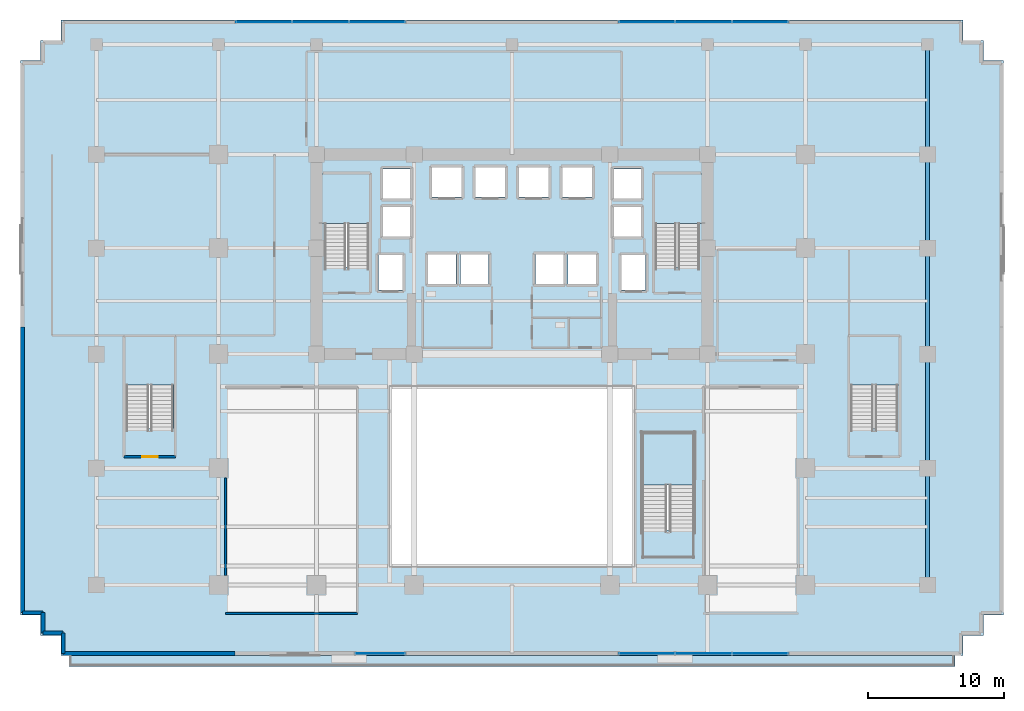
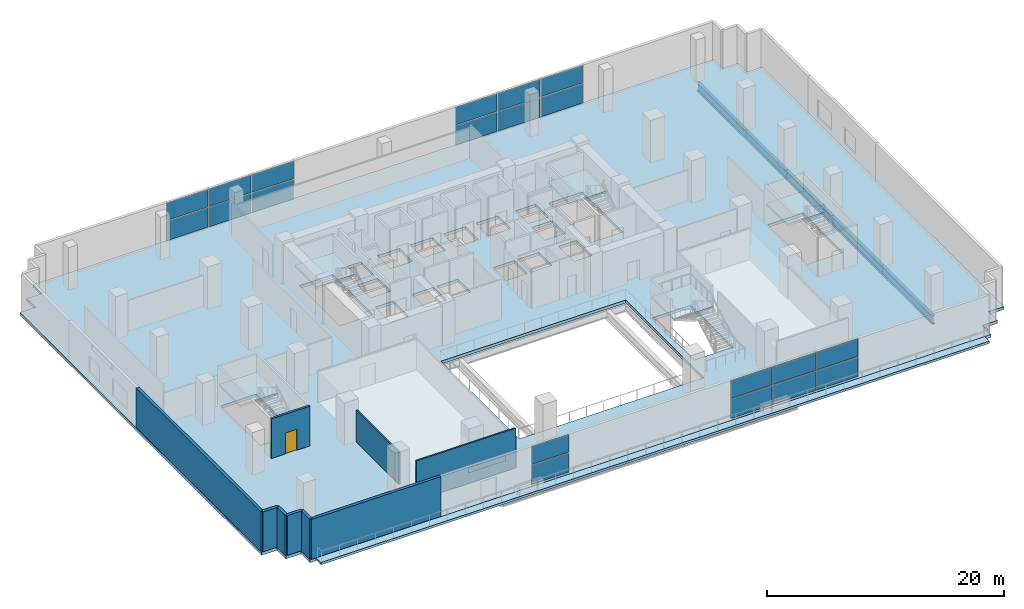
# One storey, part 12 of 23: 20 plates, 9 walls, 7 slabs, 5 beams, 1 door, 1 opening, 9 elements without a shape of their own.
"""IFC4 building model written with IfcOpenShell, lengths in metres."""

from ifc_helpers import new_model, si_unit, direction, frame, frame_2d, origin, origin_2d, place, context, subcontext, project, spatial, polyline, rectangle, i_section, outline, extrude, source, transform, mapped, material, layer, layer_set, material_profile, profile_set, type_object, element, fill, aggregate, save


model = new_model("IFC4")

# Units and contexts
model_context = context("Model", 3, precision=1e-05, world=origin(), true_north=direction((0.0, 1.0)))
body_context = subcontext(model_context, "Body", "Model", "MODEL_VIEW")
ifc_project = project(units=[si_unit("LENGTHUNIT", "METRE"), si_unit("AREAUNIT", "SQUARE_METRE"), si_unit("VOLUMEUNIT", "CUBIC_METRE"), si_unit("PLANEANGLEUNIT", "RADIAN"), si_unit("MASSUNIT", "GRAM", prefix="KILO")], contexts=[model_context])

# Site, building, storey
site_placement = place(None, origin())
site = spatial("IfcSite", under=ifc_project, at=site_placement, CompositionType="ELEMENT")
building_placement = place(site_placement, origin())
building = spatial("IfcBuilding", under=site, at=building_placement, Name="Zarnakvel Exchange Tower", CompositionType="ELEMENT")
storey_placement = place(building_placement, frame((0.0, 0.0, 13.800048828125)))
storey = spatial("IfcBuildingStorey", under=building, at=storey_placement, Name="L03", CompositionType="ELEMENT", Elevation=13.800048828125)

# Beams
ifc_material_1 = material(Name="Steel S355", Category="steel")
ifc_material_profile = material_profile(ifc_material_1, i_section(OverallWidth=0.300048828125, OverallDepth=0.89990234375, WebThickness=0.0185546875, FlangeThickness=0.034912109375, FilletRadius=0.030029296875, at=origin_2d()))
ifc_profile_set = profile_set([ifc_material_profile], Name="Steel S355")
beam_type = type_object("IfcBeamType", Name="G-01", PredefinedType="BEAM", material=ifc_profile_set)
beam_1_placement = place(storey_placement, frame((30.60009765625, -18.199951171875, -0.75), z_axis=(0.0, 1.0, 0.0), x_axis=(-1.0, 0.0, 0.0)))
element("IfcBeam", 1, at=beam_1_placement, inside=storey, type_object=beam_type, Name="L03 Primary N-S Girder X=+30.6", PredefinedType="BEAM", context=body_context, shape_type="SweptSolid", body=[
    extrude(i_section(OverallWidth=0.300048828125, OverallDepth=0.89990234375, WebThickness=0.0185546875, FlangeThickness=0.034912109375, FilletRadius=0.030029296875, at=origin_2d()), origin(), (0.0, 0.0, 1.0), 8.599853515625),
])
beam_2_placement = place(storey_placement, frame((30.60009765625, -9.60009765625, -0.75), z_axis=(0.0, 1.0, 0.0), x_axis=(-1.0, 0.0, 0.0)))
element("IfcBeam", 2, at=beam_2_placement, inside=storey, type_object=beam_type, Name="L03 Primary N-S Girder X=+30.6", PredefinedType="BEAM", context=body_context, shape_type="SweptSolid", body=[
    extrude(i_section(OverallWidth=0.300048828125, OverallDepth=0.89990234375, WebThickness=0.0185546875, FlangeThickness=0.034912109375, FilletRadius=0.030029296875, at=origin_2d()), origin(), (0.0, 0.0, 1.0), 8.400146484375),
])
beam_3_placement = place(storey_placement, frame((30.60009765625, -1.199951171875, -0.75), z_axis=(0.0, 1.0, 0.0), x_axis=(-1.0, 0.0, 0.0)))
element("IfcBeam", 3, at=beam_3_placement, inside=storey, type_object=beam_type, Name="L03 Primary N-S Girder X=+30.6", PredefinedType="BEAM", context=body_context, shape_type="SweptSolid", body=[
    extrude(i_section(OverallWidth=0.300048828125, OverallDepth=0.89990234375, WebThickness=0.0185546875, FlangeThickness=0.034912109375, FilletRadius=0.030029296875, at=origin_2d()), origin(), (0.0, 0.0, 1.0), 7.800048828125),
])
beam_4_placement = place(storey_placement, frame((30.60009765625, 6.60009765625, -0.75), z_axis=(0.0, 1.0, 0.0), x_axis=(-1.0, 0.0, 0.0)))
element("IfcBeam", 4, at=beam_4_placement, inside=storey, type_object=beam_type, Name="L03 Primary N-S Girder X=+30.6", PredefinedType="BEAM", context=body_context, shape_type="SweptSolid", body=[
    extrude(i_section(OverallWidth=0.300048828125, OverallDepth=0.89990234375, WebThickness=0.0185546875, FlangeThickness=0.034912109375, FilletRadius=0.030029296875, at=origin_2d()), origin(), (0.0, 0.0, 1.0), 6.89990234375),
])
beam_5_placement = place(storey_placement, frame((30.60009765625, 13.5, -0.75), z_axis=(0.0, 1.0, 0.0), x_axis=(-1.0, 0.0, 0.0)))
element("IfcBeam", 5, at=beam_5_placement, inside=storey, type_object=beam_type, Name="L03 Primary N-S Girder X=+30.6", PredefinedType="BEAM", context=body_context, shape_type="SweptSolid", body=[
    extrude(i_section(OverallWidth=0.300048828125, OverallDepth=0.89990234375, WebThickness=0.0185546875, FlangeThickness=0.034912109375, FilletRadius=0.030029296875, at=origin_2d()), origin(), (0.0, 0.0, 1.0), 8.10009765625),
])

# Stair, slab
ifc_material_2 = material(Name="Concrete C40/50", Category="concrete")
stair_type_1 = type_object("IfcStairType", Name="STR-01", PredefinedType="HALF_TURN_STAIR", material=ifc_material_2)
stair_1_placement = place(storey_placement, origin())
stair_1 = element("IfcStair", 6, at=stair_1_placement, inside=storey, type_object=stair_type_1, Name="L03 Protected Core Exit Stair ST-01", PredefinedType="HALF_TURN_STAIR")
ifc_layer_1 = layer(ifc_material_2, 0.199951171875)
ifc_layer_set_1 = layer_set([ifc_layer_1], Name="Concrete C40/50")
slab_type_1 = type_object("IfcSlabType", Name="LDG-01", PredefinedType="LANDING", material=ifc_layer_set_1)
slab_1_placement = place(storey_placement, frame((0.0, 0.0, 2.0)))
slab_1 = element("IfcSlab", 7, at=slab_1_placement, type_object=slab_type_1, Name="ST-01 landing 1", PredefinedType="LANDING", context=body_context, shape_type="SweptSolid", body=[
    extrude(outline(polyline([(-14.18994140625, 8.409912109375), (-10.4599609375, 8.409912109375), (-10.4599609375, 12.080078125), (-14.18994140625, 12.080078125), (-14.18994140625, 8.409912109375)])), origin(), (0.0, 0.0, 1.0), 0.199951171875),
])
aggregate(stair_1, [slab_1])

stair_2_placement = place(storey_placement, origin())
stair_2 = element("IfcStair", 8, at=stair_2_placement, inside=storey, type_object=stair_type_1, Name="L03 Protected Core Exit Stair ST-02", PredefinedType="HALF_TURN_STAIR")
slab_2_placement = place(storey_placement, frame((0.0, 0.0, 2.0)))
slab_2 = element("IfcSlab", 9, at=slab_2_placement, type_object=slab_type_1, Name="ST-02 landing 1", PredefinedType="LANDING", context=body_context, shape_type="SweptSolid", body=[
    extrude(outline(polyline([(10.4599609375, 8.409912109375), (14.18994140625, 8.409912109375), (14.18994140625, 12.080078125), (10.4599609375, 12.080078125), (10.4599609375, 8.409912109375)])), origin(), (0.0, 0.0, 1.0), 0.199951171875),
])
aggregate(stair_2, [slab_2])

stair_type_2 = type_object("IfcStairType", Name="STR-02", PredefinedType="HALF_TURN_STAIR", material=ifc_material_2)
stair_3_placement = place(storey_placement, origin())
stair_3 = element("IfcStair", 10, at=stair_3_placement, inside=storey, type_object=stair_type_2, Name="L03 Podium West Exit Stair ST-03", PredefinedType="HALF_TURN_STAIR")
slab_3_placement = place(storey_placement, frame((0.0, 0.0, 2.0)))
slab_3 = element("IfcSlab", 11, at=slab_3_placement, type_object=slab_type_1, Name="ST-03 landing 1", PredefinedType="LANDING", context=body_context, shape_type="SweptSolid", body=[
    extrude(outline(polyline([(-28.5, -3.489990234375), (-24.840087890625, -3.489990234375), (-24.840087890625, 0.10009765625), (-28.5, 0.10009765625), (-28.5, -3.489990234375)])), origin(), (0.0, 0.0, 1.0), 0.199951171875),
])
aggregate(stair_3, [slab_3])

stair_4_placement = place(storey_placement, origin())
stair_4 = element("IfcStair", 12, at=stair_4_placement, inside=storey, type_object=stair_type_2, Name="L03 Podium East Exit Stair ST-04", PredefinedType="HALF_TURN_STAIR")
slab_4_placement = place(storey_placement, frame((0.0, 0.0, 2.0)))
slab_4 = element("IfcSlab", 13, at=slab_4_placement, type_object=slab_type_1, Name="ST-04 landing 1", PredefinedType="LANDING", context=body_context, shape_type="SweptSolid", body=[
    extrude(outline(polyline([(24.840087890625, -3.489990234375), (28.5, -3.489990234375), (28.5, 0.10009765625), (24.840087890625, 0.10009765625), (24.840087890625, -3.489990234375)])), origin(), (0.0, 0.0, 1.0), 0.199951171875),
])
aggregate(stair_4, [slab_4])

stair_type_3 = type_object("IfcStairType", Name="STR-04", PredefinedType="HALF_TURN_STAIR", material=ifc_material_2)
stair_5_placement = place(storey_placement, origin())
stair_5 = element("IfcStair", 14, at=stair_5_placement, inside=storey, type_object=stair_type_3, Name="L03 Exchange Concourse Atrium Feature Stair ST-06", PredefinedType="HALF_TURN_STAIR")
slab_5_placement = place(storey_placement, frame((0.0, 0.0, 2.0)))
slab_5 = element("IfcSlab", 15, at=slab_5_placement, type_object=slab_type_1, Name="ST-06 landing 1", PredefinedType="LANDING", context=body_context, shape_type="SweptSolid", body=[
    extrude(outline(polyline([(9.580078125, -10.820068359375), (13.419921875, -10.820068359375), (13.419921875, -6.97998046875), (9.580078125, -6.97998046875), (9.580078125, -10.820068359375)])), origin(), (0.0, 0.0, 1.0), 0.199951171875),
])
aggregate(stair_5, [slab_5])

# Slabs
ifc_layer_2 = layer(ifc_material_2, 0.300048828125)
ifc_layer_set_2 = layer_set([ifc_layer_2], Name="Concrete C40/50")
slab_type_2 = type_object("IfcSlabType", Name="SL-01", PredefinedType="FLOOR", material=ifc_layer_set_2)
slab_6_placement = place(storey_placement, frame((0.0, 0.0, -0.300048828125)))
element("IfcSlab", 16, at=slab_6_placement, inside=storey, type_object=slab_type_2, Name="L03 Primary Structural Floor Slab", PredefinedType="FLOOR", context=body_context, shape_type="SweptSolid", body=[
    extrude(outline(polyline([(-36.199951171875, -20.39990234375), (-34.699951171875, -20.39990234375), (-34.699951171875, -21.89990234375), (-33.199951171875, -21.89990234375), (-33.199951171875, -23.39990234375), (33.199951171875, -23.39990234375), (33.199951171875, -21.89990234375), (34.699951171875, -21.89990234375), (34.699951171875, -20.39990234375), (36.199951171875, -20.39990234375), (36.199951171875, 20.39990234375), (34.699951171875, 20.39990234375), (34.699951171875, 21.89990234375), (33.199951171875, 21.89990234375), (33.199951171875, 23.39990234375), (-33.199951171875, 23.39990234375), (-33.199951171875, 21.89990234375), (-34.699951171875, 21.89990234375), (-34.699951171875, 20.39990234375), (-36.199951171875, 20.39990234375), (-36.199951171875, -20.39990234375)]), holes=[polyline([(-9.0, -16.800048828125), (9.0, -16.800048828125), (9.0, -3.60009765625), (-9.0, -3.60009765625), (-9.0, -16.800048828125)]), polyline([(-13.800048828125, 5.2099609375), (-10.5400390625, 5.2099609375), (-10.5400390625, 12.0), (-13.800048828125, 12.0), (-13.800048828125, 5.2099609375)]), polyline([(10.5400390625, 5.2099609375), (13.800048828125, 5.2099609375), (13.800048828125, 12.0), (10.5400390625, 12.0), (10.5400390625, 5.2099609375)]), polyline([(-28.39990234375, -6.68994140625), (-24.93994140625, -6.68994140625), (-24.93994140625, 0.0), (-28.39990234375, 0.0), (-28.39990234375, -6.68994140625)]), polyline([(24.93994140625, -6.68994140625), (28.39990234375, -6.68994140625), (28.39990234375, 0.0), (24.93994140625, 0.0), (24.93994140625, -6.68994140625)]), polyline([(9.60009765625, -14.139892578125), (13.39990234375, -14.139892578125), (13.39990234375, -7.0), (9.60009765625, -7.0), (9.60009765625, -14.139892578125)]), polyline([(-9.830078125, 3.52001953125), (-8.070068359375, 3.52001953125), (-8.070068359375, 6.080078125), (-9.830078125, 6.080078125), (-9.830078125, 3.52001953125)]), polyline([(8.070068359375, 3.52001953125), (9.830078125, 3.52001953125), (9.830078125, 6.080078125), (8.070068359375, 6.080078125), (8.070068359375, 3.52001953125)]), polyline([(-5.8798828125, 10.3701171875), (-3.719970703125, 10.3701171875), (-3.719970703125, 12.530029296875), (-5.8798828125, 12.530029296875), (-5.8798828125, 10.3701171875)]), polyline([(-2.679931640625, 10.3701171875), (-0.52001953125, 10.3701171875), (-0.52001953125, 12.530029296875), (-2.679931640625, 12.530029296875), (-2.679931640625, 10.3701171875)]), polyline([(0.52001953125, 10.3701171875), (2.679931640625, 10.3701171875), (2.679931640625, 12.530029296875), (0.52001953125, 12.530029296875), (0.52001953125, 10.3701171875)]), polyline([(3.719970703125, 10.3701171875), (5.8798828125, 10.3701171875), (5.8798828125, 12.530029296875), (3.719970703125, 12.530029296875), (3.719970703125, 10.3701171875)]), polyline([(-6.179931640625, 3.969970703125), (-4.1201171875, 3.969970703125), (-4.1201171875, 6.1298828125), (-6.179931640625, 6.1298828125), (-6.179931640625, 3.969970703125)]), polyline([(-3.780029296875, 3.969970703125), (-1.719970703125, 3.969970703125), (-1.719970703125, 6.1298828125), (-3.780029296875, 6.1298828125), (-3.780029296875, 3.969970703125)]), polyline([(1.719970703125, 3.969970703125), (3.780029296875, 3.969970703125), (3.780029296875, 6.1298828125), (1.719970703125, 6.1298828125), (1.719970703125, 3.969970703125)]), polyline([(4.1201171875, 3.969970703125), (6.179931640625, 3.969970703125), (6.179931640625, 6.1298828125), (4.1201171875, 6.1298828125), (4.1201171875, 3.969970703125)]), polyline([(-9.47998046875, 7.469970703125), (-7.52001953125, 7.469970703125), (-7.52001953125, 9.6298828125), (-9.47998046875, 9.6298828125), (-9.47998046875, 7.469970703125)]), polyline([(-9.47998046875, 10.27001953125), (-7.52001953125, 10.27001953125), (-7.52001953125, 12.429931640625), (-9.47998046875, 12.429931640625), (-9.47998046875, 10.27001953125)]), polyline([(7.52001953125, 7.469970703125), (9.47998046875, 7.469970703125), (9.47998046875, 9.6298828125), (7.52001953125, 9.6298828125), (7.52001953125, 7.469970703125)]), polyline([(7.52001953125, 10.27001953125), (9.47998046875, 10.27001953125), (9.47998046875, 12.429931640625), (7.52001953125, 12.429931640625), (7.52001953125, 10.27001953125)])]), origin(), (0.0, 0.0, 1.0), 0.300048828125),
])
ifc_layer_3 = layer(ifc_material_2, 0.239990234375)
ifc_layer_set_3 = layer_set([ifc_layer_3], Name="Concrete C40/50")
slab_type_3 = type_object("IfcSlabType", Name="SL-06", PredefinedType="ROOF", material=ifc_layer_set_3)
slab_7_placement = place(storey_placement, frame((0.0, 0.0, -0.239990234375)))
element("IfcSlab", 17, at=slab_7_placement, inside=storey, type_object=slab_type_3, Name="L03 Cascading Podium Outdoor Terrace Slab", PredefinedType="ROOF", context=body_context, shape_type="SweptSolid", body=[
    extrude(outline(polyline([(-32.60009765625, -24.199951171875), (32.60009765625, -24.199951171875), (32.60009765625, -23.39990234375), (-32.60009765625, -23.39990234375), (-32.60009765625, -24.199951171875)])), origin(), (0.0, 0.0, 1.0), 0.239990234375),
])

# Curtain wall, plates
ifc_material_3 = material(Name="Architectural Bronze Anodised Aluminium", Category="aluminium")
ifc_layer_4 = layer(ifc_material_3, 0.260009765625)
ifc_layer_set_4 = layer_set([ifc_layer_4], Name="Architectural Bronze Anodised Aluminium")
curtain_wall_type = type_object("IfcCurtainWallType", Name="CW-01", PredefinedType="NOTDEFINED", material=ifc_layer_set_4)
curtain_wall_1_placement = place(storey_placement, origin())
curtain_wall_1 = element("IfcCurtainWall", 18, at=curtain_wall_1_placement, inside=storey, type_object=curtain_wall_type, Name="L03 Curtain Wall CW-L03-S1 (CW-01)", PredefinedType="NOTDEFINED")
ifc_material_4 = material(Name="Double Low-E Laminated Vision Glass", Category="glass")
ifc_layer_5 = layer(ifc_material_4, 0.035888671875)
ifc_layer_set_5 = layer_set([ifc_layer_5], Name="Double Low-E Laminated Vision Glass")
plate_type = type_object("IfcPlateType", Name="CWP-01", PredefinedType="CURTAIN_PANEL", material=ifc_layer_set_5)
shared_shape_1 = source(origin(), body_context, "Body", "SweptSolid", [
    extrude(rectangle(XDim=3.60009765625, YDim=0.035888671875, at=origin_2d()), origin(), (0.0, 0.0, 1.0), 1.986572265625),
])
plate_1_placement = place(storey_placement, frame((-9.699951171875, -23.239990234375, 0.08984375), z_axis=(0.0, 0.0, 1.0), x_axis=(1.0, 0.0, 0.0)))
plate_1 = element("IfcPlate", 19, at=plate_1_placement, type_object=plate_type, Name="CW-01 panel 1.1", PredefinedType="CURTAIN_PANEL", context=body_context, shape_type="MappedRepresentation", body=[
    mapped(shared_shape_1, transform((0.0, 0.0, 0.0), x_axis=(1.0, 0.0, 0.0), y_axis=(0.0, 1.0, 0.0), z_axis=(0.0, 0.0, 1.0), scale=1.0)),
])
shared_shape_2 = source(origin(), body_context, "Body", "SweptSolid", [
    extrude(rectangle(XDim=3.60009765625, YDim=0.035888671875, at=origin_2d()), origin(), (0.0, 0.0, 1.0), 1.823486328125),
])
plate_2_placement = place(storey_placement, frame((-9.699951171875, -23.239990234375, 2.16650390625), z_axis=(0.0, 0.0, 1.0), x_axis=(1.0, 0.0, 0.0)))
plate_2 = element("IfcPlate", 20, at=plate_2_placement, type_object=plate_type, Name="CW-01 panel 1.2", PredefinedType="CURTAIN_PANEL", context=body_context, shape_type="MappedRepresentation", body=[
    mapped(shared_shape_2, transform((0.0, 0.0, 0.0), x_axis=(1.0, 0.0, 0.0), y_axis=(0.0, 1.0, 0.0), z_axis=(0.0, 0.0, 1.0), scale=1.0)),
])
aggregate(curtain_wall_1, [plate_1, plate_2])

curtain_wall_2_placement = place(storey_placement, origin())
curtain_wall_2 = element("IfcCurtainWall", 21, at=curtain_wall_2_placement, inside=storey, type_object=curtain_wall_type, Name="L03 Curtain Wall CW-L03-S2 (CW-01)", PredefinedType="NOTDEFINED")
shared_shape_3 = source(origin(), body_context, "Body", "SweptSolid", [
    extrude(rectangle(XDim=4.050048828125, YDim=0.035888671875, at=origin_2d()), origin(), (0.0, 0.0, 1.0), 1.986572265625),
])
plate_3_placement = place(storey_placement, frame((9.925048828125, -23.239990234375, 0.08984375), z_axis=(0.0, 0.0, 1.0), x_axis=(1.0, 0.0, 0.0)))
plate_3 = element("IfcPlate", 22, at=plate_3_placement, type_object=plate_type, Name="CW-01 panel 1.1", PredefinedType="CURTAIN_PANEL", context=body_context, shape_type="MappedRepresentation", body=[
    mapped(shared_shape_3, transform((0.0, 0.0, 0.0), x_axis=(1.0, 0.0, 0.0), y_axis=(0.0, 1.0, 0.0), z_axis=(0.0, 0.0, 1.0), scale=1.0)),
])
plate_4_placement = place(storey_placement, frame((18.27490234375, -23.239990234375, 0.08984375), z_axis=(0.0, 0.0, 1.0), x_axis=(1.0, 0.0, 0.0)))
plate_4 = element("IfcPlate", 23, at=plate_4_placement, type_object=plate_type, Name="CW-01 panel 3.1", PredefinedType="CURTAIN_PANEL", context=body_context, shape_type="MappedRepresentation", body=[
    mapped(shared_shape_3, transform((0.0, 0.0, 0.0), x_axis=(1.0, 0.0, 0.0), y_axis=(0.0, 1.0, 0.0), z_axis=(0.0, 0.0, 1.0), scale=1.0)),
])

curtain_wall_3_placement = place(storey_placement, origin())
curtain_wall_3 = element("IfcCurtainWall", 24, at=curtain_wall_3_placement, inside=storey, type_object=curtain_wall_type, Name="L03 Curtain Wall CW-L03-N1 (CW-01)", PredefinedType="NOTDEFINED")
plate_5_placement = place(storey_placement, frame((-18.27490234375, 23.239990234375, 0.08984375), z_axis=(0.0, 0.0, 1.0), x_axis=(1.0, 0.0, 0.0)))
plate_5 = element("IfcPlate", 25, at=plate_5_placement, type_object=plate_type, Name="CW-01 panel 1.1", PredefinedType="CURTAIN_PANEL", context=body_context, shape_type="MappedRepresentation", body=[
    mapped(shared_shape_3, transform((0.0, 0.0, 0.0), x_axis=(1.0, 0.0, 0.0), y_axis=(0.0, 1.0, 0.0), z_axis=(0.0, 0.0, 1.0), scale=1.0)),
])
plate_6_placement = place(storey_placement, frame((-9.925048828125, 23.239990234375, 0.08984375), z_axis=(0.0, 0.0, 1.0), x_axis=(1.0, 0.0, 0.0)))
plate_6 = element("IfcPlate", 26, at=plate_6_placement, type_object=plate_type, Name="CW-01 panel 3.1", PredefinedType="CURTAIN_PANEL", context=body_context, shape_type="MappedRepresentation", body=[
    mapped(shared_shape_3, transform((0.0, 0.0, 0.0), x_axis=(1.0, 0.0, 0.0), y_axis=(0.0, 1.0, 0.0), z_axis=(0.0, 0.0, 1.0), scale=1.0)),
])

curtain_wall_4_placement = place(storey_placement, origin())
curtain_wall_4 = element("IfcCurtainWall", 27, at=curtain_wall_4_placement, inside=storey, type_object=curtain_wall_type, Name="L03 Curtain Wall CW-L03-N2 (CW-01)", PredefinedType="NOTDEFINED")
plate_7_placement = place(storey_placement, frame((9.925048828125, 23.239990234375, 0.08984375), z_axis=(0.0, 0.0, 1.0), x_axis=(1.0, 0.0, 0.0)))
plate_7 = element("IfcPlate", 28, at=plate_7_placement, type_object=plate_type, Name="CW-01 panel 1.1", PredefinedType="CURTAIN_PANEL", context=body_context, shape_type="MappedRepresentation", body=[
    mapped(shared_shape_3, transform((0.0, 0.0, 0.0), x_axis=(1.0, 0.0, 0.0), y_axis=(0.0, 1.0, 0.0), z_axis=(0.0, 0.0, 1.0), scale=1.0)),
])
plate_8_placement = place(storey_placement, frame((18.27490234375, 23.239990234375, 0.08984375), z_axis=(0.0, 0.0, 1.0), x_axis=(1.0, 0.0, 0.0)))
plate_8 = element("IfcPlate", 29, at=plate_8_placement, type_object=plate_type, Name="CW-01 panel 3.1", PredefinedType="CURTAIN_PANEL", context=body_context, shape_type="MappedRepresentation", body=[
    mapped(shared_shape_3, transform((0.0, 0.0, 0.0), x_axis=(1.0, 0.0, 0.0), y_axis=(0.0, 1.0, 0.0), z_axis=(0.0, 0.0, 1.0), scale=1.0)),
])

# Plate
shared_shape_4 = source(origin(), body_context, "Body", "SweptSolid", [
    extrude(rectangle(XDim=4.050048828125, YDim=0.035888671875, at=origin_2d()), origin(), (0.0, 0.0, 1.0), 1.823486328125),
])
plate_9_placement = place(storey_placement, frame((9.925048828125, -23.239990234375, 2.16650390625), z_axis=(0.0, 0.0, 1.0), x_axis=(1.0, 0.0, 0.0)))
plate_9 = element("IfcPlate", 30, at=plate_9_placement, type_object=plate_type, Name="CW-01 panel 1.2", PredefinedType="CURTAIN_PANEL", context=body_context, shape_type="MappedRepresentation", body=[
    mapped(shared_shape_4, transform((0.0, 0.0, 0.0), x_axis=(1.0, 0.0, 0.0), y_axis=(0.0, 1.0, 0.0), z_axis=(0.0, 0.0, 1.0), scale=1.0)),
])

plate_10_placement = place(storey_placement, frame((18.27490234375, -23.239990234375, 2.16650390625), z_axis=(0.0, 0.0, 1.0), x_axis=(1.0, 0.0, 0.0)))
plate_10 = element("IfcPlate", 31, at=plate_10_placement, type_object=plate_type, Name="CW-01 panel 3.2", PredefinedType="CURTAIN_PANEL", context=body_context, shape_type="MappedRepresentation", body=[
    mapped(shared_shape_4, transform((0.0, 0.0, 0.0), x_axis=(1.0, 0.0, 0.0), y_axis=(0.0, 1.0, 0.0), z_axis=(0.0, 0.0, 1.0), scale=1.0)),
])

plate_11_placement = place(storey_placement, frame((-18.27490234375, 23.239990234375, 2.16650390625), z_axis=(0.0, 0.0, 1.0), x_axis=(1.0, 0.0, 0.0)))
plate_11 = element("IfcPlate", 32, at=plate_11_placement, type_object=plate_type, Name="CW-01 panel 1.2", PredefinedType="CURTAIN_PANEL", context=body_context, shape_type="MappedRepresentation", body=[
    mapped(shared_shape_4, transform((0.0, 0.0, 0.0), x_axis=(1.0, 0.0, 0.0), y_axis=(0.0, 1.0, 0.0), z_axis=(0.0, 0.0, 1.0), scale=1.0)),
])

plate_12_placement = place(storey_placement, frame((-9.925048828125, 23.239990234375, 2.16650390625), z_axis=(0.0, 0.0, 1.0), x_axis=(1.0, 0.0, 0.0)))
plate_12 = element("IfcPlate", 33, at=plate_12_placement, type_object=plate_type, Name="CW-01 panel 3.2", PredefinedType="CURTAIN_PANEL", context=body_context, shape_type="MappedRepresentation", body=[
    mapped(shared_shape_4, transform((0.0, 0.0, 0.0), x_axis=(1.0, 0.0, 0.0), y_axis=(0.0, 1.0, 0.0), z_axis=(0.0, 0.0, 1.0), scale=1.0)),
])

plate_13_placement = place(storey_placement, frame((9.925048828125, 23.239990234375, 2.16650390625), z_axis=(0.0, 0.0, 1.0), x_axis=(1.0, 0.0, 0.0)))
plate_13 = element("IfcPlate", 34, at=plate_13_placement, type_object=plate_type, Name="CW-01 panel 1.2", PredefinedType="CURTAIN_PANEL", context=body_context, shape_type="MappedRepresentation", body=[
    mapped(shared_shape_4, transform((0.0, 0.0, 0.0), x_axis=(1.0, 0.0, 0.0), y_axis=(0.0, 1.0, 0.0), z_axis=(0.0, 0.0, 1.0), scale=1.0)),
])

plate_14_placement = place(storey_placement, frame((18.27490234375, 23.239990234375, 2.16650390625), z_axis=(0.0, 0.0, 1.0), x_axis=(1.0, 0.0, 0.0)))
plate_14 = element("IfcPlate", 35, at=plate_14_placement, type_object=plate_type, Name="CW-01 panel 3.2", PredefinedType="CURTAIN_PANEL", context=body_context, shape_type="MappedRepresentation", body=[
    mapped(shared_shape_4, transform((0.0, 0.0, 0.0), x_axis=(1.0, 0.0, 0.0), y_axis=(0.0, 1.0, 0.0), z_axis=(0.0, 0.0, 1.0), scale=1.0)),
])

shared_shape_5 = source(origin(), body_context, "Body", "SweptSolid", [
    extrude(rectangle(XDim=4.10009765625, YDim=0.035888671875, at=origin_2d()), origin(), (0.0, 0.0, 1.0), 1.986572265625),
])
plate_15_placement = place(storey_placement, frame((14.10009765625, -23.239990234375, 0.08984375), z_axis=(0.0, 0.0, 1.0), x_axis=(1.0, 0.0, 0.0)))
plate_15 = element("IfcPlate", 36, at=plate_15_placement, type_object=plate_type, Name="CW-01 panel 2.1", PredefinedType="CURTAIN_PANEL", context=body_context, shape_type="MappedRepresentation", body=[
    mapped(shared_shape_5, transform((0.0, 0.0, 0.0), x_axis=(1.0, 0.0, 0.0), y_axis=(0.0, 1.0, 0.0), z_axis=(0.0, 0.0, 1.0), scale=1.0)),
])

plate_16_placement = place(storey_placement, frame((-14.10009765625, 23.239990234375, 0.08984375), z_axis=(0.0, 0.0, 1.0), x_axis=(1.0, 0.0, 0.0)))
plate_16 = element("IfcPlate", 37, at=plate_16_placement, type_object=plate_type, Name="CW-01 panel 2.1", PredefinedType="CURTAIN_PANEL", context=body_context, shape_type="MappedRepresentation", body=[
    mapped(shared_shape_5, transform((0.0, 0.0, 0.0), x_axis=(1.0, 0.0, 0.0), y_axis=(0.0, 1.0, 0.0), z_axis=(0.0, 0.0, 1.0), scale=1.0)),
])

plate_17_placement = place(storey_placement, frame((14.10009765625, 23.239990234375, 0.08984375), z_axis=(0.0, 0.0, 1.0), x_axis=(1.0, 0.0, 0.0)))
plate_17 = element("IfcPlate", 38, at=plate_17_placement, type_object=plate_type, Name="CW-01 panel 2.1", PredefinedType="CURTAIN_PANEL", context=body_context, shape_type="MappedRepresentation", body=[
    mapped(shared_shape_5, transform((0.0, 0.0, 0.0), x_axis=(1.0, 0.0, 0.0), y_axis=(0.0, 1.0, 0.0), z_axis=(0.0, 0.0, 1.0), scale=1.0)),
])

shared_shape_6 = source(origin(), body_context, "Body", "SweptSolid", [
    extrude(rectangle(XDim=4.10009765625, YDim=0.035888671875, at=origin_2d()), origin(), (0.0, 0.0, 1.0), 1.823486328125),
])
plate_18_placement = place(storey_placement, frame((14.10009765625, -23.239990234375, 2.16650390625), z_axis=(0.0, 0.0, 1.0), x_axis=(1.0, 0.0, 0.0)))
plate_18 = element("IfcPlate", 39, at=plate_18_placement, type_object=plate_type, Name="CW-01 panel 2.2", PredefinedType="CURTAIN_PANEL", context=body_context, shape_type="MappedRepresentation", body=[
    mapped(shared_shape_6, transform((0.0, 0.0, 0.0), x_axis=(1.0, 0.0, 0.0), y_axis=(0.0, 1.0, 0.0), z_axis=(0.0, 0.0, 1.0), scale=1.0)),
])

aggregate(curtain_wall_2, [plate_3, plate_9, plate_15, plate_18, plate_4, plate_10])

plate_19_placement = place(storey_placement, frame((-14.10009765625, 23.239990234375, 2.16650390625), z_axis=(0.0, 0.0, 1.0), x_axis=(1.0, 0.0, 0.0)))
plate_19 = element("IfcPlate", 40, at=plate_19_placement, type_object=plate_type, Name="CW-01 panel 2.2", PredefinedType="CURTAIN_PANEL", context=body_context, shape_type="MappedRepresentation", body=[
    mapped(shared_shape_6, transform((0.0, 0.0, 0.0), x_axis=(1.0, 0.0, 0.0), y_axis=(0.0, 1.0, 0.0), z_axis=(0.0, 0.0, 1.0), scale=1.0)),
])

aggregate(curtain_wall_3, [plate_5, plate_11, plate_16, plate_19, plate_6, plate_12])

plate_20_placement = place(storey_placement, frame((14.10009765625, 23.239990234375, 2.16650390625), z_axis=(0.0, 0.0, 1.0), x_axis=(1.0, 0.0, 0.0)))
plate_20 = element("IfcPlate", 41, at=plate_20_placement, type_object=plate_type, Name="CW-01 panel 2.2", PredefinedType="CURTAIN_PANEL", context=body_context, shape_type="MappedRepresentation", body=[
    mapped(shared_shape_6, transform((0.0, 0.0, 0.0), x_axis=(1.0, 0.0, 0.0), y_axis=(0.0, 1.0, 0.0), z_axis=(0.0, 0.0, 1.0), scale=1.0)),
])

aggregate(curtain_wall_4, [plate_7, plate_13, plate_17, plate_20, plate_8, plate_14])

# Walls
ifc_material_5 = material(Name="Precast concrete C40/50", Category="concrete")
ifc_layer_6 = layer(ifc_material_5, 0.280029296875)
ifc_layer_set_6 = layer_set([ifc_layer_6], Name="Precast concrete C40/50")
wall_type_1 = type_object("IfcWallType", Name="EW-01", PredefinedType="SOLIDWALL", material=ifc_layer_set_6)
wall_1_placement = place(storey_placement, frame((-36.0400390625, 0.800048828125, 0.0), z_axis=(0.0, 0.0, 1.0), x_axis=(0.0, -1.0, 0.0)))
element("IfcWall", 42, at=wall_1_placement, inside=storey, type_object=wall_type_1, Name="L03 Exterior Precast Spandrel Wall EWC-L03-01 (EW-01)", PredefinedType="SOLIDWALL", context=body_context, shape_type="SweptSolid", body=[
    extrude(rectangle(XDim=21.0400390625, YDim=0.280029296875, at=frame_2d((10.52001953125, 0.0))), origin(), (0.0, 0.0, 1.0), 4.099853515625),
])
wall_2_placement = place(storey_placement, frame((-33.0400390625, -23.239990234375, 0.0), z_axis=(0.0, 0.0, 1.0), x_axis=(1.0, 0.0, 0.0)))
element("IfcWall", 43, at=wall_2_placement, inside=storey, type_object=wall_type_1, Name="L03 Exterior Precast Spandrel Wall EWC-L03-22 (EW-01)", PredefinedType="SOLIDWALL", context=body_context, shape_type="SweptSolid", body=[
    extrude(rectangle(XDim=12.64013671875, YDim=0.280029296875, at=frame_2d((6.320068359375, 0.0))), origin(), (0.0, 0.0, 1.0), 4.099853515625),
])
for number, where, z_axis, x_axis, name in (
    (44, (-33.0400390625, -21.739990234375, 0.0), (0.0, 0.0, 1.0), (0.0, -1.0, 0.0), "L03 Exterior Precast Spandrel Wall EWC-L03-23 (EW-01)"),
    (45, (-34.5400390625, -21.739990234375, 0.0), (0.0, 0.0, 1.0), (1.0, 0.0, 0.0), "L03 Exterior Precast Spandrel Wall EWC-L03-24 (EW-01)"),
    (46, (-34.5400390625, -20.239990234375, 0.0), (0.0, 0.0, 1.0), (0.0, -1.0, 0.0), "L03 Exterior Precast Spandrel Wall EWC-L03-25 (EW-01)"),
    (47, (-36.0400390625, -20.239990234375, 0.0), (0.0, 0.0, 1.0), (1.0, 0.0, 0.0), "L03 Exterior Precast Spandrel Wall EWC-L03-26 (EW-01)"),
):
    element("IfcWall", number, at=place(storey_placement, frame(where, z_axis=z_axis, x_axis=x_axis)), inside=storey, type_object=wall_type_1, Name=name, PredefinedType="SOLIDWALL", context=body_context, shape_type="SweptSolid", body=[
        extrude(rectangle(XDim=1.5, YDim=0.280029296875, at=frame_2d((0.75, 0.0))), origin(), (0.0, 0.0, 1.0), 4.099853515625),
    ])
ifc_material_6 = material(Name="Fire-Rated Gypsum Stud Partition", Category="gypsum")
ifc_layer_7 = layer(ifc_material_6, 0.14990234375)
ifc_layer_set_7 = layer_set([ifc_layer_7], Name="Fire-Rated Gypsum Stud Partition")
wall_type_2 = type_object("IfcWallType", Name="PT-01", PredefinedType="PARTITIONING", material=ifc_layer_set_7)
wall_3_placement = place(storey_placement, frame((-11.3798828125, -20.280029296875, 0.0), z_axis=(0.0, 0.0, 1.0), x_axis=(-1.0, 0.0, 0.0)))
element("IfcWall", 48, at=wall_3_placement, inside=storey, type_object=wall_type_2, Name="L03 Partition Wall PWALL-L03-030 (PT-01)", PredefinedType="PARTITIONING", context=body_context, shape_type="SweptSolid", body=[
    extrude(rectangle(XDim=9.7001953125, YDim=0.14990234375, at=frame_2d((4.85009765625, 0.0))), origin(), (0.0, 0.0, 1.0), 4.099853515625),
])
wall_4_placement = place(storey_placement, frame((-21.080078125, -17.47998046875, 0.0), z_axis=(0.0, 0.0, 1.0), x_axis=(0.0, 1.0, 0.0)))
element("IfcWall", 49, at=wall_4_placement, inside=storey, type_object=wall_type_2, Name="L03 Partition Wall PWALL-L03-032 (PT-01)", PredefinedType="PARTITIONING", context=body_context, shape_type="SweptSolid", body=[
    extrude(rectangle(XDim=7.159912109375, YDim=0.14990234375, at=frame_2d((3.580078125, 0.0))), origin(), (0.0, 0.0, 1.0), 3.2900390625),
])

# Wall, opening, door
ifc_layer_8 = layer(ifc_material_2, 0.199951171875)
ifc_layer_set_8 = layer_set([ifc_layer_8], Name="Concrete C40/50")
wall_type_3 = type_object("IfcWallType", Name="SW-02", PredefinedType="SOLIDWALL", material=ifc_layer_set_8)
wall_5_placement = place(storey_placement, frame((-24.7900390625, -8.760009765625, 0.0), z_axis=(0.0, 0.0, 1.0), x_axis=(-1.0, 0.0, 0.0)))
wall_5 = element("IfcWall", 50, at=wall_5_placement, inside=storey, type_object=wall_type_3, Name="L03 Stairwell Core Wall PWALL-L03-022 (SW-02)", PredefinedType="SOLIDWALL", context=body_context, shape_type="SweptSolid", body=[
    extrude(rectangle(XDim=3.77001953125, YDim=0.199951171875, at=frame_2d((1.885009765625, 0.0))), origin(), (0.0, 0.0, 1.0), 4.099853515625),
])
opening_placement = place(wall_5_placement, frame((1.284912109375, 0.0, 0.0)))
opening = element("IfcOpeningElement", 51, at=opening_placement, cuts=wall_5, Name="Opening D-L03-09", PredefinedType="OPENING", context=body_context, shape_type="SweptSolid", body=[
    extrude(rectangle(XDim=1.14990234375, YDim=2.14990234375, at=frame_2d((0.574951171875, 1.074951171875))), frame((0.0, 0.10986328125, 0.0), z_axis=(0.0, -1.0, 0.0), x_axis=(1.0, 0.0, 0.0)), (0.0, 0.0, 1.0), 0.219970703125),
])
ifc_material_7 = material(Name="Painted Galvanised Steel S355", Category="steel")
door_type = type_object("IfcDoorType", Name="DT-04", OperationType="NOTDEFINED", PredefinedType="DOOR", material=ifc_material_7)
shared_shape_7 = source(origin(), body_context, "Body", "SweptSolid", [
    extrude(rectangle(XDim=1.14990234375, YDim=2.14990234375, at=frame_2d((0.574951171875, 1.074951171875))), frame((0.0, 0.02490234375, 0.0), z_axis=(0.0, -1.0, 0.0), x_axis=(1.0, 0.0, 0.0)), (0.0, 0.0, 1.0), 0.050048828125),
])
door_placement = place(opening_placement, origin())
door = element("IfcDoor", 52, at=door_placement, inside=storey, type_object=door_type, Name="L03 Stairwell ST-03 Door D-L03-09", OperationType="SINGLE_SWING_LEFT", OverallHeight=2.14990234375, OverallWidth=1.14990234375, PredefinedType="DOOR", context=body_context, shape_type="MappedRepresentation", body=[
    mapped(shared_shape_7, transform((0.0, 0.0, 0.0), x_axis=(1.0, 0.0, 0.0), y_axis=(0.0, 1.0, 0.0), z_axis=(0.0, 0.0, 1.0), scale=1.0)),
])
fill(opening, door)

save(model, "model.ifc")
